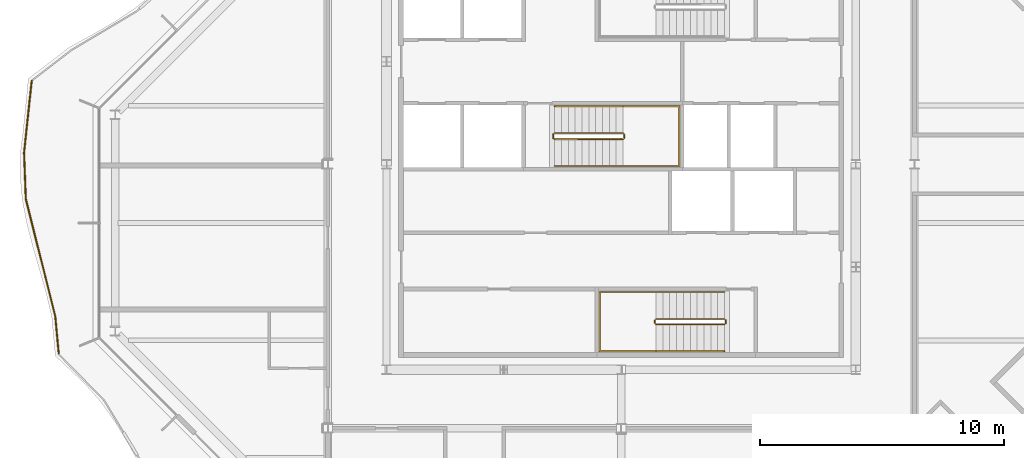
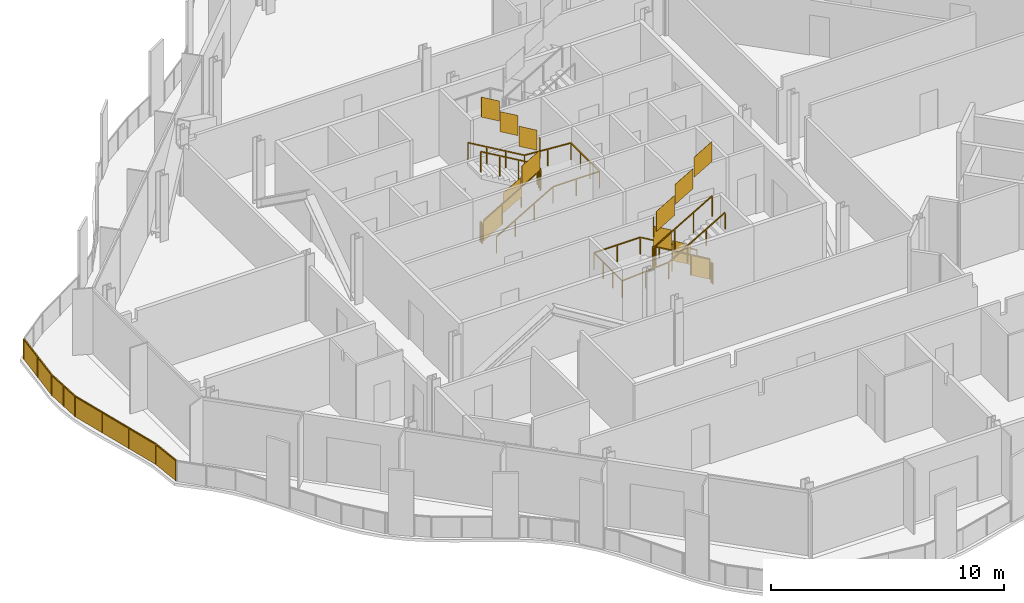
# One storey, part 14 of 17: 7 railings.
"""IFC4 building model written with IfcOpenShell, lengths in metres."""

from ifc_helpers import new_model, si_unit, direction, frame, origin, origin_2d, place, context, subcontext, project, spatial, polyline, rectangle, outline, extrude, material, type_object, element, save


model = new_model("IFC4")

# Units and contexts
model_context = context("Model", 3, precision=1e-05, world=origin(), true_north=direction((0.0, 1.0)))
body_context = subcontext(model_context, "Body", "Model", "MODEL_VIEW")
ifc_project = project(units=[si_unit("LENGTHUNIT", "METRE"), si_unit("AREAUNIT", "SQUARE_METRE"), si_unit("VOLUMEUNIT", "CUBIC_METRE"), si_unit("PLANEANGLEUNIT", "RADIAN"), si_unit("MASSUNIT", "GRAM", prefix="KILO")], contexts=[model_context])

# Site, building, storey
site_placement = place(None, origin())
site = spatial("IfcSite", under=ifc_project, at=site_placement, CompositionType="ELEMENT")
building_placement = place(site_placement, origin())
building = spatial("IfcBuilding", under=site, at=building_placement, Name="Cairn Pilgrim Tower", CompositionType="ELEMENT")
storey_placement = place(building_placement, frame((0.0, 0.0, 250.199951171875)))
storey = spatial("IfcBuildingStorey", under=building, at=storey_placement, Name="L64", CompositionType="ELEMENT", Elevation=250.199951171875)

# Railings
ifc_material_1 = material(Name="Bronze anodised aluminium rail and posts with laminated glass infill", Category="aluminium")
railing_type_1 = type_object("IfcRailingType", Name="BALCONY GUARD 1100", PredefinedType="GUARDRAIL", material=ifc_material_1)
railing_1_placement = place(storey_placement, frame((-16.9140625, 5.820556640625, 0.0)))
element("IfcRailing", 1, at=railing_1_placement, inside=storey, type_object=railing_type_1, Name="Balcony guard BG-6", PredefinedType="GUARDRAIL", context=body_context, shape_type="SweptSolid", body=[
    extrude(rectangle(XDim=0.050048828125, YDim=0.050048828125, at=origin_2d()), frame((0.0, 0.0, 1.0751953125), z_axis=(-0.105825935837, -0.994384669685, 0.0), x_axis=(0.994384669685, -0.105825935837, 0.0)), (0.0, 0.0, 1.0), 2.962158203125),
    extrude(rectangle(XDim=0.050048828125, YDim=0.050048828125, at=origin_2d()), frame((-0.3134765625, -2.945556640625, 1.0751953125), z_axis=(0.038136239622, -0.999272549021, 0.0), x_axis=(0.999272549021, 0.038136239622, 0.0)), (0.0, 0.0, 1.0), 1.89501953125),
    extrude(rectangle(XDim=0.050048828125, YDim=0.050048828125, at=origin_2d()), frame((-0.2412109375, -4.839111328125, 1.0751953125), z_axis=(0.243499699472, -0.969900972449, 0.0), x_axis=(0.969900972449, 0.243499699472, 0.0)), (0.0, 0.0, 1.0), 4.945068359375),
    extrude(rectangle(XDim=0.050048828125, YDim=0.050048828125, at=origin_2d()), frame((0.962890625, -9.63525390625, 1.0751953125), z_axis=(0.092507572588, -0.995711980953, 0.0), x_axis=(0.995711980953, 0.092507572588, 0.0)), (0.0, 0.0, 1.0), 1.5068359375),
    extrude(rectangle(XDim=0.050048828125, YDim=0.050048828125, at=origin_2d()), origin(), (0.0, 0.0, 1.0), 1.050048828125),
    extrude(rectangle(XDim=0.050048828125, YDim=0.050048828125, at=origin_2d()), frame((-0.15673828125, -1.47265625, 0.0)), (0.0, 0.0, 1.0), 1.050048828125),
    extrude(rectangle(XDim=0.050048828125, YDim=0.050048828125, at=origin_2d()), frame((-0.3134765625, -2.945556640625, 0.0)), (0.0, 0.0, 1.0), 1.050048828125),
    extrude(rectangle(XDim=0.050048828125, YDim=0.050048828125, at=origin_2d()), frame((-0.27734375, -3.892333984375, 0.0)), (0.0, 0.0, 1.0), 1.050048828125),
    extrude(rectangle(XDim=0.050048828125, YDim=0.050048828125, at=origin_2d()), frame((-0.2412109375, -4.839111328125, 0.0)), (0.0, 0.0, 1.0), 1.050048828125),
    extrude(rectangle(XDim=0.050048828125, YDim=0.050048828125, at=origin_2d()), frame((0.16015625, -6.437744140625, 0.0)), (0.0, 0.0, 1.0), 1.050048828125),
    extrude(rectangle(XDim=0.050048828125, YDim=0.050048828125, at=origin_2d()), frame((0.5615234375, -8.03662109375, 0.0)), (0.0, 0.0, 1.0), 1.050048828125),
    extrude(rectangle(XDim=0.050048828125, YDim=0.050048828125, at=origin_2d()), frame((0.962890625, -9.63525390625, 0.0)), (0.0, 0.0, 1.0), 1.050048828125),
    extrude(rectangle(XDim=0.050048828125, YDim=0.050048828125, at=origin_2d()), frame((1.102294921875, -11.1357421875, 0.0)), (0.0, 0.0, 1.0), 1.050048828125),
    extrude(outline(polyline([(0.02490234375, 0.0), (1.4560546875, 0.0), (1.4560546875, 1.050048828125), (0.02490234375, 1.050048828125), (0.02490234375, 0.0)])), frame((0.005859375, -0.000732421875, 0.0), z_axis=(-0.994384669685, 0.105825935837, 0.0), x_axis=(-0.105825935837, -0.994384669685, 0.0)), (0.0, 0.0, 1.0), 0.011962890625),
    extrude(outline(polyline([(0.02490234375, 0.0), (1.4560546875, 0.0), (1.4560546875, 1.050048828125), (0.02490234375, 1.050048828125), (0.02490234375, 0.0)])), frame((-0.15087890625, -1.473388671875, 0.0), z_axis=(-0.994384669685, 0.105825935837, 0.0), x_axis=(-0.105825935837, -0.994384669685, 0.0)), (0.0, 0.0, 1.0), 0.011962890625),
    extrude(outline(polyline([(0.02490234375, 0.0), (0.92236328125, 0.0), (0.92236328125, 1.050048828125), (0.02490234375, 1.050048828125), (0.02490234375, 0.0)])), frame((-0.3076171875, -2.9453125, 0.0), z_axis=(-0.999272549021, -0.038136239622, 0.0), x_axis=(0.038136239622, -0.999272549021, 0.0)), (0.0, 0.0, 1.0), 0.011962890625),
    extrude(outline(polyline([(0.02490234375, 0.0), (0.92236328125, 0.0), (0.92236328125, 1.050048828125), (0.02490234375, 1.050048828125), (0.02490234375, 0.0)])), frame((-0.271484375, -3.89208984375, 0.0), z_axis=(-0.999272549021, -0.038136239622, 0.0), x_axis=(0.038136239622, -0.999272549021, 0.0)), (0.0, 0.0, 1.0), 0.011962890625),
    extrude(outline(polyline([(0.02490234375, 0.0), (1.623291015625, 0.0), (1.623291015625, 1.050048828125), (0.02490234375, 1.050048828125), (0.02490234375, 0.0)])), frame((-0.2353515625, -4.837646484375, 0.0), z_axis=(-0.969900972449, -0.243499699472, 0.0), x_axis=(0.243499699472, -0.969900972449, 0.0)), (0.0, 0.0, 1.0), 0.011962890625),
    extrude(outline(polyline([(0.02490234375, 0.0), (1.623291015625, 0.0), (1.623291015625, 1.050048828125), (0.02490234375, 1.050048828125), (0.02490234375, 0.0)])), frame((0.166015625, -6.436279296875, 0.0), z_axis=(-0.969900972449, -0.243499699472, 0.0), x_axis=(0.243499699472, -0.969900972449, 0.0)), (0.0, 0.0, 1.0), 0.011962890625),
    extrude(outline(polyline([(0.02490234375, 0.0), (1.623291015625, 0.0), (1.623291015625, 1.050048828125), (0.02490234375, 1.050048828125), (0.02490234375, 0.0)])), frame((0.5673828125, -8.03515625, 0.0), z_axis=(-0.969900972449, -0.243499699472, 0.0), x_axis=(0.243499699472, -0.969900972449, 0.0)), (0.0, 0.0, 1.0), 0.011962890625),
    extrude(outline(polyline([(0.02490234375, 0.0), (1.48193359375, 0.0), (1.48193359375, 1.050048828125), (0.02490234375, 1.050048828125), (0.02490234375, 0.0)])), frame((0.96875, -9.634765625, 0.0), z_axis=(-0.995711980953, -0.092507572588, 0.0), x_axis=(0.092507572588, -0.995711980953, 0.0)), (0.0, 0.0, 1.0), 0.011962890625),
])
ifc_material_2 = material(Name="Painted steel", Category="steel")
railing_type_2 = type_object("IfcRailingType", Name="STAIR GUARD 1100", PredefinedType="GUARDRAIL", material=ifc_material_2)
railing_2_placement = place(storey_placement, frame((11.425048828125, -3.925048828125, 0.16357421875)))
element("IfcRailing", 2, at=railing_2_placement, inside=storey, type_object=railing_type_2, Name="L64 ST-A stair guard 1", PredefinedType="GUARDRAIL", context=body_context, shape_type="SweptSolid", body=[
    extrude(rectangle(XDim=0.048095703125, YDim=0.048095703125, at=origin_2d()), frame((0.0, 0.0, 1.076171875), z_axis=(-0.863360870873, 0.0, 0.504586966384), x_axis=(0.0, -1.0, 0.0)), (0.0, 0.0, 1.0), 3.2431640625),
    extrude(rectangle(XDim=0.048095703125, YDim=0.048095703125, at=origin_2d()), frame((-2.800048828125, 0.0, 2.71240234375), z_axis=(-0.707106781187, -0.707106781187, 0.0), x_axis=(0.707106781187, -0.707106781187, 0.0)), (0.0, 0.0, 1.0), 0.07080078125),
    extrude(rectangle(XDim=0.048095703125, YDim=0.048095703125, at=origin_2d()), frame((-2.85009765625, -0.050048828125, 2.71240234375), z_axis=(0.0, -1.0, 0.0), x_axis=(1.0, 0.0, 0.0)), (0.0, 0.0, 1.0), 0.125),
    extrude(rectangle(XDim=0.048095703125, YDim=0.048095703125, at=origin_2d()), frame((-2.85009765625, -0.175048828125, 2.71240234375), z_axis=(0.280916556609, -0.279546231943, 0.91811752648), x_axis=(0.705375805398, 0.708833529934, 0.0)), (0.0, 0.0, 1.0), 0.17822265625),
    extrude(rectangle(XDim=0.048095703125, YDim=0.048095703125, at=origin_2d()), frame((-2.800048828125, -0.224853515625, 2.8759765625), z_axis=(0.863360870873, 0.0, 0.504586966384), x_axis=(0.0, 1.0, 0.0)), (0.0, 0.0, 1.0), 3.2431640625),
    extrude(rectangle(XDim=0.0419921875, YDim=0.0419921875, at=origin_2d()), origin(), (0.0, 0.0, 1.0), 1.052001953125),
    extrude(rectangle(XDim=0.0419921875, YDim=0.0419921875, at=origin_2d()), frame((-0.933349609375, 0.0, 0.54541015625)), (0.0, 0.0, 1.0), 1.052001953125),
    extrude(rectangle(XDim=0.0419921875, YDim=0.0419921875, at=origin_2d()), frame((-1.86669921875, 0.0, 1.091064453125)), (0.0, 0.0, 1.0), 1.052001953125),
    extrude(rectangle(XDim=0.0419921875, YDim=0.0419921875, at=origin_2d()), frame((-2.800048828125, 0.0, 1.636474609375)), (0.0, 0.0, 1.0), 1.052001953125),
    extrude(rectangle(XDim=0.0419921875, YDim=0.0419921875, at=origin_2d()), frame((-2.85009765625, -0.050048828125, 1.636474609375)), (0.0, 0.0, 1.0), 1.052001953125),
    extrude(rectangle(XDim=0.0419921875, YDim=0.0419921875, at=origin_2d()), frame((-2.85009765625, -0.175048828125, 1.636474609375)), (0.0, 0.0, 1.0), 1.052001953125),
    extrude(rectangle(XDim=0.0419921875, YDim=0.0419921875, at=origin_2d()), frame((-2.800048828125, -0.224853515625, 1.800048828125)), (0.0, 0.0, 1.0), 1.052001953125),
    extrude(rectangle(XDim=0.0419921875, YDim=0.0419921875, at=origin_2d()), frame((-1.86669921875, -0.224853515625, 2.345458984375)), (0.0, 0.0, 1.0), 1.052001953125),
    extrude(rectangle(XDim=0.0419921875, YDim=0.0419921875, at=origin_2d()), frame((-0.933349609375, -0.224853515625, 2.89111328125)), (0.0, 0.0, 1.0), 1.052001953125),
    extrude(rectangle(XDim=0.0419921875, YDim=0.0419921875, at=origin_2d()), frame((0.0, -0.224853515625, 3.4365234375)), (0.0, 0.0, 1.0), 1.052001953125),
    extrude(outline(polyline([(0.02099609375, 0.01220703125), (0.912353515625, 0.533203125), (0.912353515625, 1.585205078125), (0.02099609375, 1.064208984375), (0.02099609375, 0.01220703125)])), frame((0.0, -0.005859375, 0.0), z_axis=(0.0, 1.0, 0.0), x_axis=(-1.0, 0.0, 0.0)), (0.0, 0.0, 1.0), 0.011962890625),
    extrude(outline(polyline([(0.02099609375, 0.557861328125), (0.912353515625, 1.07861328125), (0.912353515625, 2.130615234375), (0.02099609375, 1.60986328125), (0.02099609375, 0.557861328125)])), frame((-0.933349609375, -0.005859375, 0.54541015625), z_axis=(0.0, 1.0, 0.0), x_axis=(-1.0, 0.0, 0.0)), (0.0, 0.0, 1.0), 0.011962890625),
    extrude(outline(polyline([(0.02099609375, 1.103271484375), (0.912353515625, 1.624267578125), (0.912353515625, 2.67626953125), (0.02099609375, 2.1552734375), (0.02099609375, 1.103271484375)])), frame((-1.86669921875, -0.005859375, 1.091064453125), z_axis=(0.0, 1.0, 0.0), x_axis=(-1.0, 0.0, 0.0)), (0.0, 0.0, 1.0), 0.011962890625),
    extrude(outline(polyline([(0.02099609375, 1.636474609375), (0.10400390625, 1.636474609375), (0.10400390625, 2.6884765625), (0.02099609375, 2.6884765625), (0.02099609375, 1.636474609375)])), frame((-2.84423828125, -0.050048828125, 1.636474609375), z_axis=(-1.0, 0.0, 0.0), x_axis=(0.0, -1.0, 0.0)), (0.0, 0.0, 1.0), 0.011962890625),
    extrude(outline(polyline([(0.02099609375, 1.812255859375), (0.912353515625, 2.333251953125), (0.912353515625, 3.38525390625), (0.02099609375, 2.8642578125), (0.02099609375, 1.812255859375)])), frame((-2.800048828125, -0.21875, 1.800048828125), z_axis=(0.0, -1.0, 0.0), x_axis=(1.0, 0.0, 0.0)), (0.0, 0.0, 1.0), 0.011962890625),
    extrude(outline(polyline([(0.02099609375, 2.35791015625), (0.912353515625, 2.878662109375), (0.912353515625, 3.9306640625), (0.02099609375, 3.409912109375), (0.02099609375, 2.35791015625)])), frame((-1.86669921875, -0.21875, 2.345458984375), z_axis=(0.0, -1.0, 0.0), x_axis=(1.0, 0.0, 0.0)), (0.0, 0.0, 1.0), 0.011962890625),
    extrude(outline(polyline([(0.02099609375, 2.9033203125), (0.912353515625, 3.42431640625), (0.912353515625, 4.476318359375), (0.02099609375, 3.955322265625), (0.02099609375, 2.9033203125)])), frame((-0.933349609375, -0.21875, 2.89111328125), z_axis=(0.0, -1.0, 0.0), x_axis=(1.0, 0.0, 0.0)), (0.0, 0.0, 1.0), 0.011962890625),
])
railing_3_placement = place(storey_placement, frame((11.47509765625, -3.97509765625, 0.0)))
element("IfcRailing", 3, at=railing_3_placement, inside=storey, type_object=railing_type_2, Name="L64 ST-A stair guard 2", PredefinedType="GUARDRAIL", context=body_context, shape_type="SweptSolid", body=[
    extrude(rectangle(XDim=0.048095703125, YDim=0.048095703125, at=origin_2d()), frame((0.0, 0.0, 1.076171875), z_axis=(0.0, -1.0, 0.0), x_axis=(1.0, 0.0, 0.0)), (0.0, 0.0, 1.0), 0.125),
    extrude(rectangle(XDim=0.0419921875, YDim=0.0419921875, at=origin_2d()), origin(), (0.0, 0.0, 1.0), 1.052001953125),
    extrude(rectangle(XDim=0.0419921875, YDim=0.0419921875, at=origin_2d()), frame((0.0, -0.125, 0.0)), (0.0, 0.0, 1.0), 1.052001953125),
    extrude(outline(polyline([(0.02099609375, 0.0), (0.10400390625, 0.0), (0.10400390625, 1.052001953125), (0.02099609375, 1.052001953125), (0.02099609375, 0.0)])), frame((0.005859375, 0.0, 0.0), z_axis=(-1.0, 0.0, 0.0), x_axis=(0.0, -1.0, 0.0)), (0.0, 0.0, 1.0), 0.011962890625),
])
railing_4_placement = place(storey_placement, frame((4.47509765625, 3.425048828125, 0.16357421875)))
element("IfcRailing", 4, at=railing_4_placement, inside=storey, type_object=railing_type_2, Name="L64 ST-B stair guard 1", PredefinedType="GUARDRAIL", context=body_context, shape_type="SweptSolid", body=[
    extrude(rectangle(XDim=0.048095703125, YDim=0.048095703125, at=origin_2d()), frame((0.0, 0.0, 1.076171875), z_axis=(0.863341702679, 0.0, 0.504619762213), x_axis=(0.0, 1.0, 0.0)), (0.0, 0.0, 1.0), 3.242919921875),
    extrude(rectangle(XDim=0.048095703125, YDim=0.048095703125, at=origin_2d()), frame((2.7998046875, 0.0, 2.71240234375), z_axis=(0.707106781187, 0.707106781187, 0.0), x_axis=(-0.707106781187, 0.707106781187, 0.0)), (0.0, 0.0, 1.0), 0.07080078125),
    extrude(rectangle(XDim=0.048095703125, YDim=0.048095703125, at=origin_2d()), frame((2.849853515625, 0.050048828125, 2.71240234375), z_axis=(0.0, 1.0, 0.0), x_axis=(-1.0, 0.0, 0.0)), (0.0, 0.0, 1.0), 0.14990234375),
    extrude(rectangle(XDim=0.048095703125, YDim=0.048095703125, at=origin_2d()), frame((2.849853515625, 0.199951171875, 2.71240234375), z_axis=(-0.280808744504, 0.280808744504, 0.917765164963), x_axis=(-0.707106781187, -0.707106781187, 0.0)), (0.0, 0.0, 1.0), 0.17822265625),
    extrude(rectangle(XDim=0.048095703125, YDim=0.048095703125, at=origin_2d()), frame((2.7998046875, 0.25, 2.8759765625), z_axis=(-0.863341702679, 0.0, 0.504619762213), x_axis=(0.0, -1.0, 0.0)), (0.0, 0.0, 1.0), 3.242919921875),
    extrude(rectangle(XDim=0.0419921875, YDim=0.0419921875, at=origin_2d()), origin(), (0.0, 0.0, 1.0), 1.052001953125),
    extrude(rectangle(XDim=0.0419921875, YDim=0.0419921875, at=origin_2d()), frame((0.933349609375, 0.0, 0.54541015625)), (0.0, 0.0, 1.0), 1.052001953125),
    extrude(rectangle(XDim=0.0419921875, YDim=0.0419921875, at=origin_2d()), frame((1.866455078125, 0.0, 1.091064453125)), (0.0, 0.0, 1.0), 1.052001953125),
    extrude(rectangle(XDim=0.0419921875, YDim=0.0419921875, at=origin_2d()), frame((2.7998046875, 0.0, 1.636474609375)), (0.0, 0.0, 1.0), 1.052001953125),
    extrude(rectangle(XDim=0.0419921875, YDim=0.0419921875, at=origin_2d()), frame((2.849853515625, 0.050048828125, 1.636474609375)), (0.0, 0.0, 1.0), 1.052001953125),
    extrude(rectangle(XDim=0.0419921875, YDim=0.0419921875, at=origin_2d()), frame((2.849853515625, 0.199951171875, 1.636474609375)), (0.0, 0.0, 1.0), 1.052001953125),
    extrude(rectangle(XDim=0.0419921875, YDim=0.0419921875, at=origin_2d()), frame((2.7998046875, 0.25, 1.800048828125)), (0.0, 0.0, 1.0), 1.052001953125),
    extrude(rectangle(XDim=0.0419921875, YDim=0.0419921875, at=origin_2d()), frame((1.866455078125, 0.25, 2.345458984375)), (0.0, 0.0, 1.0), 1.052001953125),
    extrude(rectangle(XDim=0.0419921875, YDim=0.0419921875, at=origin_2d()), frame((0.933349609375, 0.25, 2.89111328125)), (0.0, 0.0, 1.0), 1.052001953125),
    extrude(rectangle(XDim=0.0419921875, YDim=0.0419921875, at=origin_2d()), frame((0.0, 0.25, 3.4365234375)), (0.0, 0.0, 1.0), 1.052001953125),
    extrude(outline(polyline([(0.02099609375, 0.01220703125), (0.912353515625, 0.533203125), (0.912353515625, 1.585205078125), (0.02099609375, 1.064208984375), (0.02099609375, 0.01220703125)])), frame((0.0, 0.005859375, 0.0), z_axis=(0.0, -1.0, 0.0), x_axis=(1.0, 0.0, 0.0)), (0.0, 0.0, 1.0), 0.011962890625),
    extrude(outline(polyline([(0.02099609375, 0.557861328125), (0.912353515625, 1.07861328125), (0.912353515625, 2.130615234375), (0.02099609375, 1.60986328125), (0.02099609375, 0.557861328125)])), frame((0.933349609375, 0.005859375, 0.54541015625), z_axis=(0.0, -1.0, 0.0), x_axis=(1.0, 0.0, 0.0)), (0.0, 0.0, 1.0), 0.011962890625),
    extrude(outline(polyline([(0.02099609375, 1.103271484375), (0.912353515625, 1.624267578125), (0.912353515625, 2.67626953125), (0.02099609375, 2.1552734375), (0.02099609375, 1.103271484375)])), frame((1.866455078125, 0.005859375, 1.091064453125), z_axis=(0.0, -1.0, 0.0), x_axis=(1.0, 0.0, 0.0)), (0.0, 0.0, 1.0), 0.011962890625),
    extrude(outline(polyline([(0.02099609375, 1.636474609375), (0.12890625, 1.636474609375), (0.12890625, 2.6884765625), (0.02099609375, 2.6884765625), (0.02099609375, 1.636474609375)])), frame((2.84375, 0.050048828125, 1.636474609375), z_axis=(1.0, 0.0, 0.0), x_axis=(0.0, 1.0, 0.0)), (0.0, 0.0, 1.0), 0.011962890625),
    extrude(outline(polyline([(0.02099609375, 1.812255859375), (0.912353515625, 2.333251953125), (0.912353515625, 3.38525390625), (0.02099609375, 2.8642578125), (0.02099609375, 1.812255859375)])), frame((2.7998046875, 0.244140625, 1.800048828125), z_axis=(0.0, 1.0, 0.0), x_axis=(-1.0, 0.0, 0.0)), (0.0, 0.0, 1.0), 0.011962890625),
    extrude(outline(polyline([(0.02099609375, 2.35791015625), (0.912353515625, 2.878662109375), (0.912353515625, 3.9306640625), (0.02099609375, 3.409912109375), (0.02099609375, 2.35791015625)])), frame((1.866455078125, 0.244140625, 2.345458984375), z_axis=(0.0, 1.0, 0.0), x_axis=(-1.0, 0.0, 0.0)), (0.0, 0.0, 1.0), 0.011962890625),
    extrude(outline(polyline([(0.02099609375, 2.9033203125), (0.912353515625, 3.42431640625), (0.912353515625, 4.476318359375), (0.02099609375, 3.955322265625), (0.02099609375, 2.9033203125)])), frame((0.933349609375, 0.244140625, 2.89111328125), z_axis=(0.0, 1.0, 0.0), x_axis=(-1.0, 0.0, 0.0)), (0.0, 0.0, 1.0), 0.011962890625),
])
railing_5_placement = place(storey_placement, frame((4.425048828125, 3.47509765625, 0.0)))
element("IfcRailing", 5, at=railing_5_placement, inside=storey, type_object=railing_type_2, Name="L64 ST-B stair guard 2", PredefinedType="GUARDRAIL", context=body_context, shape_type="SweptSolid", body=[
    extrude(rectangle(XDim=0.048095703125, YDim=0.048095703125, at=origin_2d()), frame((0.0, 0.0, 1.076171875), z_axis=(0.0, 1.0, 0.0), x_axis=(-1.0, 0.0, 0.0)), (0.0, 0.0, 1.0), 0.14990234375),
    extrude(rectangle(XDim=0.0419921875, YDim=0.0419921875, at=origin_2d()), origin(), (0.0, 0.0, 1.0), 1.052001953125),
    extrude(rectangle(XDim=0.0419921875, YDim=0.0419921875, at=origin_2d()), frame((0.0, 0.14990234375, 0.0)), (0.0, 0.0, 1.0), 1.052001953125),
    extrude(outline(polyline([(0.02099609375, 0.0), (0.12890625, 0.0), (0.12890625, 1.052001953125), (0.02099609375, 1.052001953125), (0.02099609375, 0.0)])), frame((-0.005859375, 0.0, 0.0), z_axis=(1.0, 0.0, 0.0), x_axis=(0.0, 1.0, 0.0)), (0.0, 0.0, 1.0), 0.011962890625),
])
railing_type_3 = type_object("IfcRailingType", Name="STAIR HANDRAIL 900", PredefinedType="HANDRAIL", material=ifc_material_2)
railing_6_placement = place(storey_placement, frame((11.425048828125, -2.824951171875, 0.16357421875)))
element("IfcRailing", 6, at=railing_6_placement, inside=storey, type_object=railing_type_3, Name="L64 ST-A stair handrail 1", PredefinedType="HANDRAIL", context=body_context, shape_type="SweptSolid", body=[
    extrude(rectangle(XDim=0.048095703125, YDim=0.048095703125, at=origin_2d()), frame((0.0, 0.0, 0.8759765625), z_axis=(-0.863360870873, 0.0, 0.504586966384), x_axis=(0.0, -1.0, 0.0)), (0.0, 0.0, 1.0), 3.2431640625),
    extrude(rectangle(XDim=0.048095703125, YDim=0.048095703125, at=origin_2d()), frame((-2.800048828125, 0.0, 2.51220703125), z_axis=(-1.0, 0.0, 0.0), x_axis=(0.0, -1.0, 0.0)), (0.0, 0.0, 1.0), 2.300048828125),
    extrude(rectangle(XDim=0.048095703125, YDim=0.048095703125, at=origin_2d()), frame((-5.10009765625, 0.0, 2.51220703125), z_axis=(0.0, -1.0, 0.0), x_axis=(1.0, 0.0, 0.0)), (0.0, 0.0, 1.0), 2.425048828125),
    extrude(rectangle(XDim=0.048095703125, YDim=0.048095703125, at=origin_2d()), frame((-5.10009765625, -2.425048828125, 2.51220703125), z_axis=(0.997480687736, 0.0, 0.070938548008), x_axis=(0.0, 1.0, 0.0)), (0.0, 0.0, 1.0), 2.305908203125),
    extrude(rectangle(XDim=0.048095703125, YDim=0.048095703125, at=origin_2d()), frame((-2.800048828125, -2.425048828125, 2.67578125), z_axis=(0.863360870873, 0.0, 0.504586966384), x_axis=(0.0, 1.0, 0.0)), (0.0, 0.0, 1.0), 3.2431640625),
    extrude(rectangle(XDim=0.0419921875, YDim=0.0419921875, at=origin_2d()), origin(), (0.0, 0.0, 1.0), 0.851806640625),
    extrude(rectangle(XDim=0.0419921875, YDim=0.0419921875, at=origin_2d()), frame((-0.933349609375, 0.0, 0.54541015625)), (0.0, 0.0, 1.0), 0.851806640625),
    extrude(rectangle(XDim=0.0419921875, YDim=0.0419921875, at=origin_2d()), frame((-1.86669921875, 0.0, 1.091064453125)), (0.0, 0.0, 1.0), 0.851806640625),
    extrude(rectangle(XDim=0.0419921875, YDim=0.0419921875, at=origin_2d()), frame((-2.800048828125, 0.0, 1.636474609375)), (0.0, 0.0, 1.0), 0.851806640625),
    extrude(rectangle(XDim=0.0419921875, YDim=0.0419921875, at=origin_2d()), frame((-3.9501953125, 0.0, 1.636474609375)), (0.0, 0.0, 1.0), 0.851806640625),
    extrude(rectangle(XDim=0.0419921875, YDim=0.0419921875, at=origin_2d()), frame((-5.10009765625, 0.0, 1.636474609375)), (0.0, 0.0, 1.0), 0.851806640625),
    extrude(rectangle(XDim=0.0419921875, YDim=0.0419921875, at=origin_2d()), frame((-5.10009765625, -0.808349609375, 1.636474609375)), (0.0, 0.0, 1.0), 0.851806640625),
    extrude(rectangle(XDim=0.0419921875, YDim=0.0419921875, at=origin_2d()), frame((-5.10009765625, -1.61669921875, 1.636474609375)), (0.0, 0.0, 1.0), 0.851806640625),
    extrude(rectangle(XDim=0.0419921875, YDim=0.0419921875, at=origin_2d()), frame((-5.10009765625, -2.425048828125, 1.636474609375)), (0.0, 0.0, 1.0), 0.851806640625),
    extrude(rectangle(XDim=0.0419921875, YDim=0.0419921875, at=origin_2d()), frame((-3.9501953125, -2.425048828125, 1.71826171875)), (0.0, 0.0, 1.0), 0.851806640625),
    extrude(rectangle(XDim=0.0419921875, YDim=0.0419921875, at=origin_2d()), frame((-2.800048828125, -2.425048828125, 1.800048828125)), (0.0, 0.0, 1.0), 0.851806640625),
    extrude(rectangle(XDim=0.0419921875, YDim=0.0419921875, at=origin_2d()), frame((-1.86669921875, -2.425048828125, 2.345458984375)), (0.0, 0.0, 1.0), 0.851806640625),
    extrude(rectangle(XDim=0.0419921875, YDim=0.0419921875, at=origin_2d()), frame((-0.933349609375, -2.425048828125, 2.89111328125)), (0.0, 0.0, 1.0), 0.851806640625),
    extrude(rectangle(XDim=0.0419921875, YDim=0.0419921875, at=origin_2d()), frame((0.0, -2.425048828125, 3.4365234375)), (0.0, 0.0, 1.0), 0.851806640625),
])
railing_7_placement = place(storey_placement, frame((4.47509765625, 2.324951171875, 0.16357421875)))
element("IfcRailing", 7, at=railing_7_placement, inside=storey, type_object=railing_type_3, Name="L64 ST-B stair handrail 1", PredefinedType="HANDRAIL", context=body_context, shape_type="SweptSolid", body=[
    extrude(rectangle(XDim=0.048095703125, YDim=0.048095703125, at=origin_2d()), frame((0.0, 0.0, 0.8759765625), z_axis=(0.863341702679, 0.0, 0.504619762213), x_axis=(0.0, 1.0, 0.0)), (0.0, 0.0, 1.0), 3.242919921875),
    extrude(rectangle(XDim=0.048095703125, YDim=0.048095703125, at=origin_2d()), frame((2.7998046875, 0.0, 2.51220703125), z_axis=(1.0, 0.0, 0.0), x_axis=(0.0, 1.0, 0.0)), (0.0, 0.0, 1.0), 2.300048828125),
    extrude(rectangle(XDim=0.048095703125, YDim=0.048095703125, at=origin_2d()), frame((5.099853515625, 0.0, 2.51220703125), z_axis=(0.0, 1.0, 0.0), x_axis=(-1.0, 0.0, 0.0)), (0.0, 0.0, 1.0), 2.449951171875),
    extrude(rectangle(XDim=0.048095703125, YDim=0.048095703125, at=origin_2d()), frame((5.099853515625, 2.449951171875, 2.51220703125), z_axis=(-0.997480687736, 0.0, 0.070938548008), x_axis=(0.0, -1.0, 0.0)), (0.0, 0.0, 1.0), 2.305908203125),
    extrude(rectangle(XDim=0.048095703125, YDim=0.048095703125, at=origin_2d()), frame((2.7998046875, 2.449951171875, 2.67578125), z_axis=(-0.863341702679, 0.0, 0.504619762213), x_axis=(0.0, -1.0, 0.0)), (0.0, 0.0, 1.0), 3.242919921875),
    extrude(rectangle(XDim=0.0419921875, YDim=0.0419921875, at=origin_2d()), origin(), (0.0, 0.0, 1.0), 0.851806640625),
    extrude(rectangle(XDim=0.0419921875, YDim=0.0419921875, at=origin_2d()), frame((0.933349609375, 0.0, 0.54541015625)), (0.0, 0.0, 1.0), 0.851806640625),
    extrude(rectangle(XDim=0.0419921875, YDim=0.0419921875, at=origin_2d()), frame((1.866455078125, 0.0, 1.091064453125)), (0.0, 0.0, 1.0), 0.851806640625),
    extrude(rectangle(XDim=0.0419921875, YDim=0.0419921875, at=origin_2d()), frame((2.7998046875, 0.0, 1.636474609375)), (0.0, 0.0, 1.0), 0.851806640625),
    extrude(rectangle(XDim=0.0419921875, YDim=0.0419921875, at=origin_2d()), frame((3.94970703125, 0.0, 1.636474609375)), (0.0, 0.0, 1.0), 0.851806640625),
    extrude(rectangle(XDim=0.0419921875, YDim=0.0419921875, at=origin_2d()), frame((5.099853515625, 0.0, 1.636474609375)), (0.0, 0.0, 1.0), 0.851806640625),
    extrude(rectangle(XDim=0.0419921875, YDim=0.0419921875, at=origin_2d()), frame((5.099853515625, 0.816650390625, 1.636474609375)), (0.0, 0.0, 1.0), 0.851806640625),
    extrude(rectangle(XDim=0.0419921875, YDim=0.0419921875, at=origin_2d()), frame((5.099853515625, 1.63330078125, 1.636474609375)), (0.0, 0.0, 1.0), 0.851806640625),
    extrude(rectangle(XDim=0.0419921875, YDim=0.0419921875, at=origin_2d()), frame((5.099853515625, 2.449951171875, 1.636474609375)), (0.0, 0.0, 1.0), 0.851806640625),
    extrude(rectangle(XDim=0.0419921875, YDim=0.0419921875, at=origin_2d()), frame((3.94970703125, 2.449951171875, 1.71826171875)), (0.0, 0.0, 1.0), 0.851806640625),
    extrude(rectangle(XDim=0.0419921875, YDim=0.0419921875, at=origin_2d()), frame((2.7998046875, 2.449951171875, 1.800048828125)), (0.0, 0.0, 1.0), 0.851806640625),
    extrude(rectangle(XDim=0.0419921875, YDim=0.0419921875, at=origin_2d()), frame((1.866455078125, 2.449951171875, 2.345458984375)), (0.0, 0.0, 1.0), 0.851806640625),
    extrude(rectangle(XDim=0.0419921875, YDim=0.0419921875, at=origin_2d()), frame((0.933349609375, 2.449951171875, 2.89111328125)), (0.0, 0.0, 1.0), 0.851806640625),
    extrude(rectangle(XDim=0.0419921875, YDim=0.0419921875, at=origin_2d()), frame((0.0, 2.449951171875, 3.4365234375)), (0.0, 0.0, 1.0), 0.851806640625),
])

save(model, "model.ifc")
